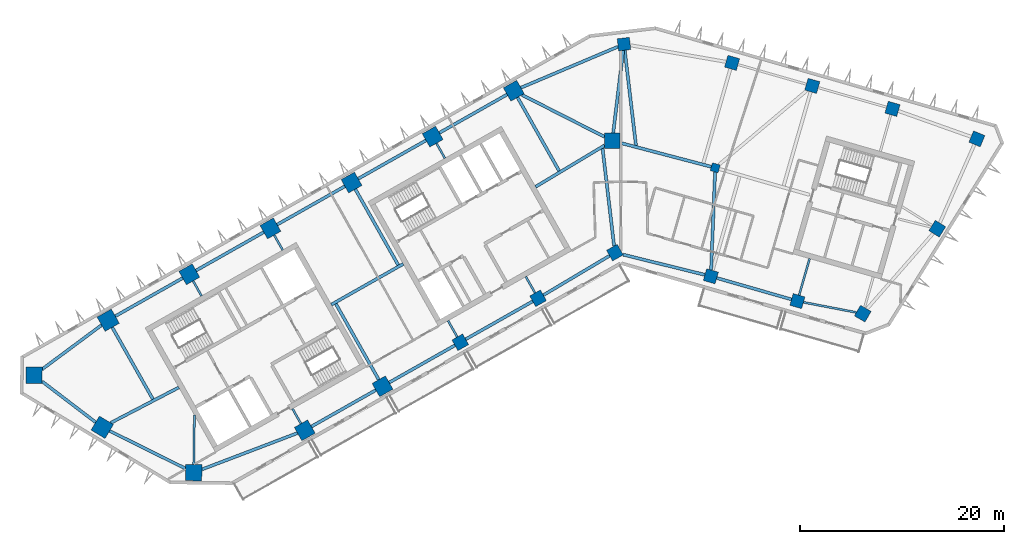
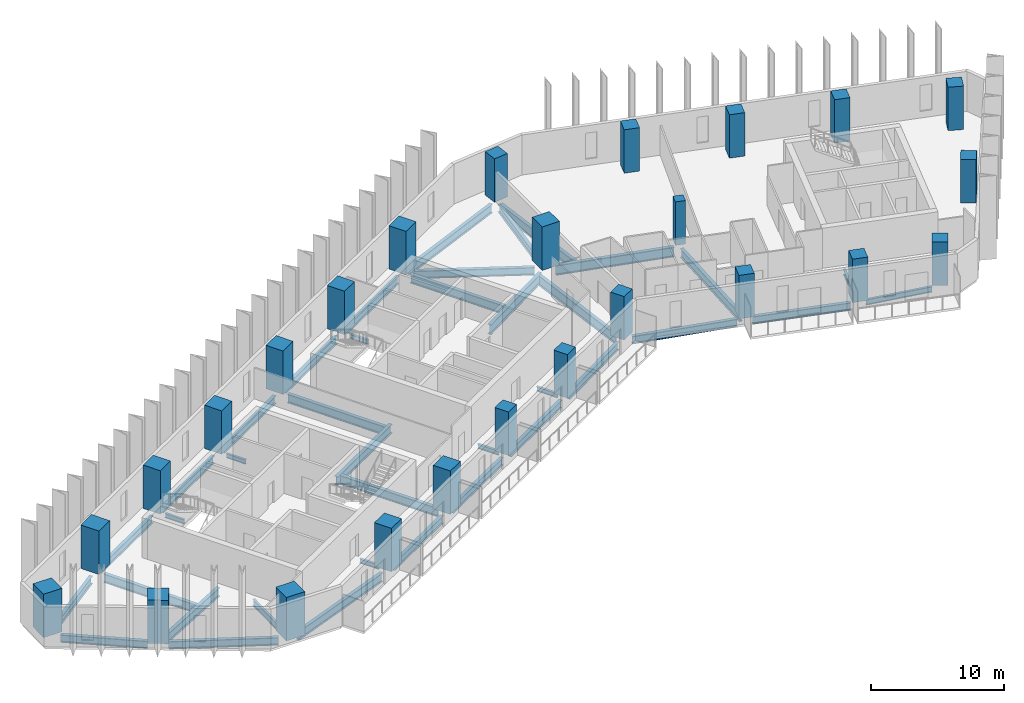
# One storey, part 1 of 10: 38 beams, 25 columns.
"""IFC4 building model written with IfcOpenShell, lengths in metres."""

from ifc_helpers import new_model, si_unit, direction, frame, origin, origin_2d, place, context, subcontext, project, spatial, rectangle, i_section, extrude, material, material_profile, profile_set, type_object, element, save


model = new_model("IFC4")

# Units and contexts
model_context = context("Model", 3, precision=1e-05, world=origin(), true_north=direction((0.0, 1.0)))
body_context = subcontext(model_context, "Body", "Model", "MODEL_VIEW")
ifc_project = project(units=[si_unit("LENGTHUNIT", "METRE"), si_unit("AREAUNIT", "SQUARE_METRE"), si_unit("VOLUMEUNIT", "CUBIC_METRE"), si_unit("PLANEANGLEUNIT", "RADIAN"), si_unit("MASSUNIT", "GRAM", prefix="KILO")], contexts=[model_context])

# Site, building, storey
site_placement = place(None, origin())
site = spatial("IfcSite", under=ifc_project, at=site_placement, CompositionType="ELEMENT")
building_placement = place(site_placement, origin())
building = spatial("IfcBuilding", under=site, at=building_placement, Name="Binnacle Exchange Tower", CompositionType="ELEMENT")
storey_placement = place(building_placement, frame((0.0, 0.0, 178.89990234375)))
storey = spatial("IfcBuildingStorey", under=building, at=storey_placement, Name="L38", CompositionType="ELEMENT", Elevation=178.89990234375)

# Columns
ifc_material_1 = material(Name="Concrete C60/75", Category="concrete")
ifc_material_profile_1 = material_profile(ifc_material_1, rectangle(XDim=0.800048828125, YDim=0.800048828125, at=origin_2d()), Name="Column 800x800 C60/75")
ifc_profile_set_1 = profile_set([ifc_material_profile_1], Name="Concrete C60/75")
column_type_1 = type_object("IfcColumnType", Name="Column 800x800 C60/75", PredefinedType="COLUMN", material=ifc_profile_set_1)
column_placement = place(storey_placement, frame((9.240966796875, 57.35009765625, 0.0), z_axis=(0.0, 0.0, 1.0), x_axis=(0.961261695938, -0.275637355817, 0.0)))
element("IfcColumn", 1, at=column_placement, inside=storey, type_object=column_type_1, Name="S:COL:C19:L38", PredefinedType="COLUMN", context=body_context, shape_type="SweptSolid", body=[
    extrude(rectangle(XDim=0.800048828125, YDim=0.800048828125, at=origin_2d()), origin(), (0.0, 0.0, 1.0), 4.0),
])
ifc_material_2 = material(Name="Concrete C70/85", Category="concrete")
ifc_material_profile_2 = material_profile(ifc_material_2, rectangle(XDim=1.199951171875, YDim=1.199951171875, at=origin_2d()), Name="Mega column 1200x1200 C70/85")
ifc_profile_set_2 = profile_set([ifc_material_profile_2], Name="Concrete C70/85")
column_type_2 = type_object("IfcColumnType", Name="Mega column 1200x1200 C70/85", PredefinedType="COLUMN", material=ifc_profile_set_2)
for number, where, z_axis, x_axis, name in (
    (2, (26.602783203125, 63.12353515625, 0.0), (0.0, 0.0, 1.0), (-0.961261695938, 0.275637355817, 0.0), "S:COL:MC52:L38"),
    (3, (18.746337890625, 65.376220703125, 0.0), (0.0, 0.0, 1.0), (-0.961261695938, 0.275637355817, 0.0), "S:COL:MC50:L38"),
    (4, (10.889892578125, 67.62890625, 0.0), (0.0, 0.0, 1.0), (-0.961261695938, 0.275637355817, 0.0), "S:COL:MC48:L38"),
    (5, (0.300048828125, 69.464111328125, 0.0), (0.0, 0.0, 1.0), (-0.993068456955, -0.117537397458, 0.0), "S:COL:MC47:L38"),
    (6, (-15.736328125, 40.257080078125, 0.0), (0.0, 0.0, 1.0), (0.87035569594, 0.492423560103, 0.0), "S:COL:MC24:L38"),
    (7, (-8.116943359375, 44.568115234375, 0.0), (0.0, 0.0, 1.0), (0.87035569594, 0.492423560103, 0.0), "S:COL:MC35:L38"),
    (8, (-0.5908203125, 49.04443359375, 0.0), (0.0, 0.0, 1.0), (0.87035569594, 0.492423560103, 0.0), "S:COL:MC46:L38"),
    (9, (8.8095703125, 46.722412109375, 0.0), (0.0, 0.0, 1.0), (0.961261695938, -0.275637355817, 0.0), "S:COL:MC49:L38"),
    (10, (17.2880859375, 44.291015625, 0.0), (0.0, 0.0, 1.0), (0.961261695938, -0.275637355817, 0.0), "S:COL:MC51:L38"),
    (11, (23.690185546875, 43.062744140625, 0.0), (0.0, 0.0, 1.0), (-0.86532642813, 0.501208711795, 0.0), "S:COL:MC53:L38"),
    (12, (30.989501953125, 51.38623046875, 0.0), (0.0, 0.0, 1.0), (0.529919264233, 0.848048096156, 0.0), "S:COL:MC55:L38"),
    (13, (34.870361328125, 60.18701171875, 0.0), (0.0, 0.0, 1.0), (-0.922814001807, 0.385245789164, 0.0), "S:COL:MC54:L38"),
):
    element("IfcColumn", number, at=place(storey_placement, frame(where, z_axis=z_axis, x_axis=x_axis)), inside=storey, type_object=column_type_2, Name=name, PredefinedType="COLUMN", context=body_context, shape_type="SweptSolid", body=[
        extrude(rectangle(XDim=1.199951171875, YDim=1.199951171875, at=origin_2d()), origin(), (0.0, 0.0, 1.0), 4.0),
    ])
ifc_material_profile_3 = material_profile(ifc_material_2, rectangle(XDim=1.5, YDim=1.5, at=origin_2d()), Name="Mega column 1500x1500 C70/85")
ifc_profile_set_3 = profile_set([ifc_material_profile_3], Name="Concrete C70/85")
column_type_3 = type_object("IfcColumnType", Name="Mega column 1500x1500 C70/85", PredefinedType="COLUMN", material=ifc_profile_set_3)
for number, where, z_axis, x_axis, name in (
    (14, (-10.4951171875, 64.901611328125, 0.0), (0.0, 0.0, 1.0), (-0.87035569594, -0.492423560103, 0.0), "S:COL:MC38:L38"),
    (15, (-18.44140625, 60.406005859375, 0.0), (0.0, 0.0, 1.0), (-0.87035569594, -0.492423560103, 0.0), "S:COL:MC29:L38"),
    (16, (-26.3876953125, 55.91015625, 0.0), (0.0, 0.0, 1.0), (-0.87035569594, -0.492423560103, 0.0), "S:COL:MC21:L38"),
    (17, (-34.333740234375, 51.414306640625, 0.0), (0.0, 0.0, 1.0), (-0.87035569594, -0.492423560103, 0.0), "S:COL:MC13:L38"),
    (18, (-42.280029296875, 46.918701171875, 0.0), (0.0, 0.0, 1.0), (-0.87035569594, -0.492423560103, 0.0), "S:COL:MC08:L38"),
    (19, (-30.9755859375, 31.63525390625, 0.0), (0.0, 0.0, 1.0), (0.87035569594, 0.492423560103, 0.0), "S:COL:MC07:L38"),
    (20, (-23.35595703125, 35.9462890625, 0.0), (0.0, 0.0, 1.0), (0.87035569594, 0.492423560103, 0.0), "S:COL:MC16:L38"),
    (21, (-0.85009765625, 60.0, 0.0), (0.0, 0.0, 1.0), (0.0, 1.0, 0.0), "S:COL:MC45:L38"),
):
    element("IfcColumn", number, at=place(storey_placement, frame(where, z_axis=z_axis, x_axis=x_axis)), inside=storey, type_object=column_type_3, Name=name, PredefinedType="COLUMN", context=body_context, shape_type="SweptSolid", body=[
        extrude(rectangle(XDim=1.5, YDim=1.5, at=origin_2d()), origin(), (0.0, 0.0, 1.0), 4.0),
    ])
ifc_material_profile_4 = material_profile(ifc_material_2, rectangle(XDim=1.60009765625, YDim=1.60009765625, at=origin_2d()), Name="Mega column 1600x1600 C70/85")
ifc_profile_set_4 = profile_set([ifc_material_profile_4], Name="Concrete C70/85")
column_type_4 = type_object("IfcColumnType", Name="Mega column 1600x1600 C70/85", PredefinedType="COLUMN", material=ifc_profile_set_4)
for number, where, z_axis, x_axis, name in (
    (22, (-50.226318359375, 42.4228515625, 0.0), (0.0, 0.0, 1.0), (-0.87035569594, -0.492423560103, 0.0), "S:COL:MC04:L38"),
    (23, (-57.492919921875, 37.02734375, 0.0), (0.0, 0.0, 1.0), (-0.013089595571, -0.999914327574, 0.0), "S:COL:MC02:L38"),
    (24, (-50.81201171875, 31.930908203125, 0.0), (0.0, 0.0, 1.0), (0.857167300702, -0.51503807491, 0.0), "S:COL:MC01:L38"),
    (25, (-41.857666015625, 27.494873046875, 0.0), (0.0, 0.0, 1.0), (0.999914327574, -0.013089595571, 0.0), "S:COL:MC03:L38"),
):
    element("IfcColumn", number, at=place(storey_placement, frame(where, z_axis=z_axis, x_axis=x_axis)), inside=storey, type_object=column_type_4, Name=name, PredefinedType="COLUMN", context=body_context, shape_type="SweptSolid", body=[
        extrude(rectangle(XDim=1.60009765625, YDim=1.60009765625, at=origin_2d()), origin(), (0.0, 0.0, 1.0), 4.0),
    ])

# Beams
ifc_material_3 = material(Name="Steel S355 (SHN355)", Category="steel")
ifc_material_profile_5 = material_profile(ifc_material_3, i_section(OverallWidth=0.200927734375, OverallDepth=0.506103515625, WebThickness=0.010986328125, FlangeThickness=0.01904296875, FilletRadius=0.02001953125, at=origin_2d()), Name="H 506x201x11x19")
ifc_profile_set_5 = profile_set([ifc_material_profile_5], Name="Steel S355 (SHN355)")
beam_type_1 = type_object("IfcBeamType", Name="Edge girder H 506x201x11x19 Steel S355 (SHN355)", PredefinedType="SPANDREL", material=ifc_profile_set_5)
beam_1_placement = place(storey_placement, frame((17.8798828125, 44.177490234375, -0.572998046875), z_axis=(0.982085171807, -0.188437563446, 0.0), x_axis=(0.188437563446, 0.982085171807, 0.0)))
element("IfcBeam", 26, at=beam_1_placement, inside=storey, type_object=beam_type_1, Name="S:BM:edge:L38:028", PredefinedType="SPANDREL", context=body_context, shape_type="SweptSolid", body=[
    extrude(i_section(OverallWidth=0.200927734375, OverallDepth=0.506103515625, WebThickness=0.010986328125, FlangeThickness=0.01904296875, FilletRadius=0.02001953125, at=origin_2d()), origin(), (0.0, 0.0, 1.0), 5.281005859375),
])
ifc_material_profile_6 = material_profile(ifc_material_3, i_section(OverallWidth=0.300048828125, OverallDepth=0.699951171875, WebThickness=0.012939453125, FlangeThickness=0.02392578125, FilletRadius=0.028076171875, at=origin_2d()), Name="H 700x300x13x24")
ifc_profile_set_6 = profile_set([ifc_material_profile_6], Name="Steel S355 (SHN355)")
beam_type_2 = type_object("IfcBeamType", Name="Edge girder H 700x300x13x24 Steel S355 (SHN355)", PredefinedType="SPANDREL", material=ifc_profile_set_6)
beam_2_placement = place(storey_placement, frame((-56.70068359375, 36.423095703125, -0.669921875), z_axis=(0.795078424379, -0.606506635649, 0.0), x_axis=(0.606506635649, 0.795078424379, 0.0)))
element("IfcBeam", 27, at=beam_2_placement, inside=storey, type_object=beam_type_2, Name="S:BM:edge:L38:011", PredefinedType="SPANDREL", context=body_context, shape_type="SweptSolid", body=[
    extrude(i_section(OverallWidth=0.300048828125, OverallDepth=0.699951171875, WebThickness=0.012939453125, FlangeThickness=0.02392578125, FilletRadius=0.028076171875, at=origin_2d()), origin(), (0.0, 0.0, 1.0), 6.6015625),
])
beam_3_placement = place(storey_placement, frame((-50.87353515625, 41.9423828125, -0.669921875), z_axis=(-0.802872533272, -0.596150732044, 0.0), x_axis=(0.596150732044, -0.802872533272, 0.0)))
element("IfcBeam", 28, at=beam_3_placement, inside=storey, type_object=beam_type_2, Name="S:BM:edge:L38:012", PredefinedType="SPANDREL", context=body_context, shape_type="SweptSolid", body=[
    extrude(i_section(OverallWidth=0.300048828125, OverallDepth=0.699951171875, WebThickness=0.012939453125, FlangeThickness=0.02392578125, FilletRadius=0.028076171875, at=origin_2d()), origin(), (0.0, 0.0, 1.0), 7.238525390625),
])
beam_4_placement = place(storey_placement, frame((-50.0927734375, 31.57470703125, -0.669921875), z_axis=(0.896061869104, -0.443929191131, 0.0), x_axis=(0.443929191131, 0.896061869104, 0.0)))
element("IfcBeam", 29, at=beam_4_placement, inside=storey, type_object=beam_type_2, Name="S:BM:edge:L38:013", PredefinedType="SPANDREL", context=body_context, shape_type="SweptSolid", body=[
    extrude(i_section(OverallWidth=0.300048828125, OverallDepth=0.699951171875, WebThickness=0.012939453125, FlangeThickness=0.02392578125, FilletRadius=0.028076171875, at=origin_2d()), origin(), (0.0, 0.0, 1.0), 8.30322265625),
])
beam_5_placement = place(storey_placement, frame((-42.932861328125, 46.54931640625, -0.669921875), z_axis=(-0.870352192811, -0.492429751811, 0.0), x_axis=(0.492429751811, -0.870352192811, 0.0)))
element("IfcBeam", 30, at=beam_5_placement, inside=storey, type_object=beam_type_2, Name="S:BM:edge:L38:014", PredefinedType="SPANDREL", context=body_context, shape_type="SweptSolid", body=[
    extrude(i_section(OverallWidth=0.300048828125, OverallDepth=0.699951171875, WebThickness=0.012939453125, FlangeThickness=0.02392578125, FilletRadius=0.028076171875, at=origin_2d()), origin(), (0.0, 0.0, 1.0), 7.57958984375),
])
beam_6_placement = place(storey_placement, frame((-34.986572265625, 51.045166015625, -0.669921875), z_axis=(-0.870355964277, -0.492423085818, 0.0), x_axis=(0.492423085818, -0.870355964277, 0.0)))
element("IfcBeam", 31, at=beam_6_placement, inside=storey, type_object=beam_type_2, Name="S:BM:edge:L38:016", PredefinedType="SPANDREL", context=body_context, shape_type="SweptSolid", body=[
    extrude(i_section(OverallWidth=0.300048828125, OverallDepth=0.699951171875, WebThickness=0.012939453125, FlangeThickness=0.02392578125, FilletRadius=0.028076171875, at=origin_2d()), origin(), (0.0, 0.0, 1.0), 7.6298828125),
])
beam_7_placement = place(storey_placement, frame((-30.32275390625, 32.004638671875, -0.669921875), z_axis=(0.870355920795, 0.492423162674, 0.0), x_axis=(-0.492423162674, 0.870355920795, 0.0)))
element("IfcBeam", 32, at=beam_7_placement, inside=storey, type_object=beam_type_2, Name="S:BM:edge:L38:017", PredefinedType="SPANDREL", context=body_context, shape_type="SweptSolid", body=[
    extrude(i_section(OverallWidth=0.300048828125, OverallDepth=0.699951171875, WebThickness=0.012939453125, FlangeThickness=0.02392578125, FilletRadius=0.028076171875, at=origin_2d()), origin(), (0.0, 0.0, 1.0), 7.25439453125),
])
beam_8_placement = place(storey_placement, frame((-27.040283203125, 55.541015625, -0.669921875), z_axis=(-0.870342250182, -0.492447324643, 0.0), x_axis=(0.492447324643, -0.870342250182, 0.0)))
element("IfcBeam", 33, at=beam_8_placement, inside=storey, type_object=beam_type_2, Name="S:BM:edge:L38:018", PredefinedType="SPANDREL", context=body_context, shape_type="SweptSolid", body=[
    extrude(i_section(OverallWidth=0.300048828125, OverallDepth=0.699951171875, WebThickness=0.012939453125, FlangeThickness=0.02392578125, FilletRadius=0.028076171875, at=origin_2d()), origin(), (0.0, 0.0, 1.0), 7.6298828125),
])
beam_9_placement = place(storey_placement, frame((-22.703125, 36.3154296875, -0.669921875), z_axis=(0.87035151347, 0.49243095252, 0.0), x_axis=(-0.49243095252, 0.87035151347, 0.0)))
element("IfcBeam", 34, at=beam_9_placement, inside=storey, type_object=beam_type_2, Name="S:BM:edge:L38:019", PredefinedType="SPANDREL", context=body_context, shape_type="SweptSolid", body=[
    extrude(i_section(OverallWidth=0.300048828125, OverallDepth=0.699951171875, WebThickness=0.012939453125, FlangeThickness=0.02392578125, FilletRadius=0.028076171875, at=origin_2d()), origin(), (0.0, 0.0, 1.0), 7.404541015625),
])
beam_10_placement = place(storey_placement, frame((-19.093994140625, 60.03662109375, -0.669921875), z_axis=(-0.870363722936, -0.492409372165, 0.0), x_axis=(0.492409372165, -0.870363722936, 0.0)))
element("IfcBeam", 35, at=beam_10_placement, inside=storey, type_object=beam_type_2, Name="S:BM:edge:L38:020", PredefinedType="SPANDREL", context=body_context, shape_type="SweptSolid", body=[
    extrude(i_section(OverallWidth=0.300048828125, OverallDepth=0.699951171875, WebThickness=0.012939453125, FlangeThickness=0.02392578125, FilletRadius=0.028076171875, at=origin_2d()), origin(), (0.0, 0.0, 1.0), 7.6298828125),
])
beam_11_placement = place(storey_placement, frame((-15.214111328125, 40.552734375, -0.669921875), z_axis=(0.870353295418, 0.492427802988, 0.0), x_axis=(-0.492427802988, 0.870353295418, 0.0)))
element("IfcBeam", 36, at=beam_11_placement, inside=storey, type_object=beam_type_2, Name="S:BM:edge:L38:021", PredefinedType="SPANDREL", context=body_context, shape_type="SweptSolid", body=[
    extrude(i_section(OverallWidth=0.300048828125, OverallDepth=0.699951171875, WebThickness=0.012939453125, FlangeThickness=0.02392578125, FilletRadius=0.028076171875, at=origin_2d()), origin(), (0.0, 0.0, 1.0), 7.554443359375),
])
beam_12_placement = place(storey_placement, frame((-11.14794921875, 64.532470703125, -0.669921875), z_axis=(-0.870355964277, -0.492423085818, 0.0), x_axis=(0.492423085818, -0.870355964277, 0.0)))
element("IfcBeam", 37, at=beam_12_placement, inside=storey, type_object=beam_type_2, Name="S:BM:edge:L38:022", PredefinedType="SPANDREL", context=body_context, shape_type="SweptSolid", body=[
    extrude(i_section(OverallWidth=0.300048828125, OverallDepth=0.699951171875, WebThickness=0.012939453125, FlangeThickness=0.02392578125, FilletRadius=0.028076171875, at=origin_2d()), origin(), (0.0, 0.0, 1.0), 7.6298828125),
])
beam_13_placement = place(storey_placement, frame((-7.60107421875, 44.875, -0.669921875), z_axis=(0.85946222832, 0.511199254783, 0.0), x_axis=(-0.511199254783, 0.85946222832, 0.0)))
element("IfcBeam", 38, at=beam_13_placement, inside=storey, type_object=beam_type_2, Name="S:BM:edge:L38:023", PredefinedType="SPANDREL", context=body_context, shape_type="SweptSolid", body=[
    extrude(i_section(OverallWidth=0.300048828125, OverallDepth=0.699951171875, WebThickness=0.012939453125, FlangeThickness=0.02392578125, FilletRadius=0.028076171875, at=origin_2d()), origin(), (0.0, 0.0, 1.0), 7.556396484375),
])
beam_14_placement = place(storey_placement, frame((0.21044921875, 48.846435546875, -0.669921875), z_axis=(0.970817017645, -0.239821429924, 0.0), x_axis=(0.239821429924, 0.970817017645, 0.0)))
element("IfcBeam", 39, at=beam_14_placement, inside=storey, type_object=beam_type_2, Name="S:BM:edge:L38:025", PredefinedType="SPANDREL", context=body_context, shape_type="SweptSolid", body=[
    extrude(i_section(OverallWidth=0.300048828125, OverallDepth=0.699951171875, WebThickness=0.012939453125, FlangeThickness=0.02392578125, FilletRadius=0.028076171875, at=origin_2d()), origin(), (0.0, 0.0, 1.0), 8.257080078125),
])
beam_15_placement = place(storey_placement, frame((9.38623046875, 46.556884765625, -0.669921875), z_axis=(0.961266012815, -0.275622300635, 0.0), x_axis=(0.275622300635, 0.961266012815, 0.0)))
element("IfcBeam", 40, at=beam_15_placement, inside=storey, type_object=beam_type_2, Name="S:BM:edge:L38:026", PredefinedType="SPANDREL", context=body_context, shape_type="SweptSolid", body=[
    extrude(i_section(OverallWidth=0.300048828125, OverallDepth=0.699951171875, WebThickness=0.012939453125, FlangeThickness=0.02392578125, FilletRadius=0.028076171875, at=origin_2d()), origin(), (0.0, 0.0, 1.0), 7.620361328125),
])
ifc_material_profile_7 = material_profile(ifc_material_3, i_section(OverallWidth=0.300048828125, OverallDepth=0.800048828125, WebThickness=0.013916015625, FlangeThickness=0.02587890625, FilletRadius=0.028076171875, at=origin_2d()), Name="H 800x300x14x26")
ifc_profile_set_7 = profile_set([ifc_material_profile_7], Name="Steel S355 (SHN355)")
beam_type_3 = type_object("IfcBeamType", Name="Edge girder H 800x300x14x26 Steel S355 (SHN355)", PredefinedType="SPANDREL", material=ifc_profile_set_7)
beam_16_placement = place(storey_placement, frame((-41.0537109375, 27.80078125, -0.719970703125), z_axis=(0.934633884233, 0.355611448695, 0.0), x_axis=(-0.355611448695, 0.934633884233, 0.0)))
element("IfcBeam", 41, at=beam_16_placement, inside=storey, type_object=beam_type_3, Name="S:BM:edge:L38:015", PredefinedType="SPANDREL", context=body_context, shape_type="SweptSolid", body=[
    extrude(i_section(OverallWidth=0.300048828125, OverallDepth=0.800048828125, WebThickness=0.013916015625, FlangeThickness=0.02587890625, FilletRadius=0.028076171875, at=origin_2d()), origin(), (0.0, 0.0, 1.0), 10.024169921875),
])
beam_17_placement = place(storey_placement, frame((-0.275390625, 69.220947265625, -0.719970703125), z_axis=(-0.921111875234, -0.389297974953, 0.0), x_axis=(0.389297974953, -0.921111875234, 0.0)))
element("IfcBeam", 42, at=beam_17_placement, inside=storey, type_object=beam_type_3, Name="S:BM:edge:L38:024", PredefinedType="SPANDREL", context=body_context, shape_type="SweptSolid", body=[
    extrude(i_section(OverallWidth=0.300048828125, OverallDepth=0.800048828125, WebThickness=0.013916015625, FlangeThickness=0.02587890625, FilletRadius=0.028076171875, at=origin_2d()), origin(), (0.0, 0.0, 1.0), 10.340087890625),
])
ifc_material_profile_8 = material_profile(ifc_material_3, i_section(OverallWidth=0.199951171875, OverallDepth=0.39990234375, WebThickness=0.008056640625, FlangeThickness=0.012939453125, FilletRadius=0.01611328125, at=origin_2d()), Name="H 400x200x8x13")
ifc_profile_set_8 = profile_set([ifc_material_profile_8], Name="Steel S355 (SHN355)")
beam_type_4 = type_object("IfcBeamType", Name="Floor beam H 400x200x8x13 Steel S355 (SHN355)", PredefinedType="BEAM", material=ifc_profile_set_8)
beam_18_placement = place(storey_placement, frame((-41.91064453125, 46.265869140625, -0.52001953125), z_axis=(0.49243456751, -0.870349468157, 0.0), x_axis=(0.870349468157, 0.49243456751, 0.0)))
element("IfcBeam", 43, at=beam_18_placement, inside=storey, type_object=beam_type_4, Name="S:BM:cross:L38:035", PredefinedType="BEAM", context=body_context, shape_type="SweptSolid", body=[
    extrude(i_section(OverallWidth=0.199951171875, OverallDepth=0.39990234375, WebThickness=0.008056640625, FlangeThickness=0.012939453125, FilletRadius=0.01611328125, at=origin_2d()), origin(), (0.0, 0.0, 1.0), 1.68408203125),
])
beam_19_placement = place(storey_placement, frame((-33.964599609375, 50.76171875, -0.52001953125), z_axis=(0.492482237839, -0.870322495063, 0.0), x_axis=(0.870322495063, 0.492482237839, 0.0)))
element("IfcBeam", 44, at=beam_19_placement, inside=storey, type_object=beam_type_4, Name="S:BM:cross:L38:037", PredefinedType="BEAM", context=body_context, shape_type="SweptSolid", body=[
    extrude(i_section(OverallWidth=0.199951171875, OverallDepth=0.39990234375, WebThickness=0.008056640625, FlangeThickness=0.012939453125, FilletRadius=0.01611328125, at=origin_2d()), origin(), (0.0, 0.0, 1.0), 1.6845703125),
])
for number, where, z_axis, x_axis, name in (
    (45, (-31.344970703125, 32.2880859375, -0.52001953125), (-0.49243456751, 0.870349468157, 0.0), (-0.870349468157, -0.49243456751, 0.0), "S:BM:cross:L38:038"),
    (46, (-18.072021484375, 59.753173828125, -0.52001953125), (0.49243456751, -0.870349468157, 0.0), (0.870349468157, 0.49243456751, 0.0), "S:BM:cross:L38:041"),
):
    element("IfcBeam", number, at=place(storey_placement, frame(where, z_axis=z_axis, x_axis=x_axis)), inside=storey, type_object=beam_type_4, Name=name, PredefinedType="BEAM", context=body_context, shape_type="SweptSolid", body=[
        extrude(i_section(OverallWidth=0.199951171875, OverallDepth=0.39990234375, WebThickness=0.008056640625, FlangeThickness=0.012939453125, FilletRadius=0.01611328125, at=origin_2d()), origin(), (0.0, 0.0, 1.0), 1.68408203125),
    ])
beam_20_placement = place(storey_placement, frame((-16.031982421875, 40.779296875, -0.52001953125), z_axis=(-0.492307212856, 0.870421511781, 0.0), x_axis=(-0.870421511781, -0.492307212856, 0.0)))
element("IfcBeam", 47, at=beam_20_placement, inside=storey, type_object=beam_type_4, Name="S:BM:cross:L38:042", PredefinedType="BEAM", context=body_context, shape_type="SweptSolid", body=[
    extrude(i_section(OverallWidth=0.199951171875, OverallDepth=0.39990234375, WebThickness=0.008056640625, FlangeThickness=0.012939453125, FilletRadius=0.01611328125, at=origin_2d()), origin(), (0.0, 0.0, 1.0), 1.83447265625),
])
beam_21_placement = place(storey_placement, frame((-8.412353515625, 45.09033203125, -0.52001953125), z_axis=(-0.492465079532, 0.87033220407, 0.0), x_axis=(-0.87033220407, -0.492465079532, 0.0)))
element("IfcBeam", 48, at=beam_21_placement, inside=storey, type_object=beam_type_4, Name="S:BM:cross:L38:044", PredefinedType="BEAM", context=body_context, shape_type="SweptSolid", body=[
    extrude(i_section(OverallWidth=0.199951171875, OverallDepth=0.39990234375, WebThickness=0.008056640625, FlangeThickness=0.012939453125, FilletRadius=0.01611328125, at=origin_2d()), origin(), (0.0, 0.0, 1.0), 1.834228515625),
])
ifc_material_profile_9 = material_profile(ifc_material_3, i_section(OverallWidth=0.199951171875, OverallDepth=0.5, WebThickness=0.010009765625, FlangeThickness=0.01611328125, FilletRadius=0.02001953125, at=origin_2d()), Name="H 500x200x10x16")
ifc_profile_set_9 = profile_set([ifc_material_profile_9], Name="Steel S355 (SHN355)")
beam_type_5 = type_object("IfcBeamType", Name="Floor beam H 500x200x10x16 Steel S355 (SHN355)", PredefinedType="BEAM", material=ifc_profile_set_9)
beam_22_placement = place(storey_placement, frame((17.45361328125, 44.867919921875, -0.56982421875), z_axis=(0.275644746045, 0.961259576794, 0.0), x_axis=(-0.961259576794, 0.275644746045, 0.0)))
element("IfcBeam", 49, at=beam_22_placement, inside=storey, type_object=beam_type_5, Name="S:BM:cross:L38:049", PredefinedType="BEAM", context=body_context, shape_type="SweptSolid", body=[
    extrude(i_section(OverallWidth=0.199951171875, OverallDepth=0.5, WebThickness=0.010009765625, FlangeThickness=0.01611328125, FilletRadius=0.02001953125, at=origin_2d()), origin(), (0.0, 0.0, 1.0), 3.735107421875),
])
ifc_material_profile_10 = material_profile(ifc_material_3, i_section(OverallWidth=0.200927734375, OverallDepth=0.60595703125, WebThickness=0.011962890625, FlangeThickness=0.02001953125, FilletRadius=0.02197265625, at=origin_2d()), Name="H 606x201x12x20")
ifc_profile_set_10 = profile_set([ifc_material_profile_10], Name="Steel S355 (SHN355)")
beam_type_6 = type_object("IfcBeamType", Name="Floor beam H 606x201x12x20 Steel S355 (SHN355)", PredefinedType="BEAM", material=ifc_profile_set_10)
beam_23_placement = place(storey_placement, frame((-41.84716796875, 28.294677734375, -0.622802734375), z_axis=(0.013085908175, 0.999914375838, 0.0), x_axis=(-0.999914375838, 0.013085908175, 0.0)))
element("IfcBeam", 50, at=beam_23_placement, inside=storey, type_object=beam_type_6, Name="S:BM:cross:L38:036", PredefinedType="BEAM", context=body_context, shape_type="SweptSolid", body=[
    extrude(i_section(OverallWidth=0.200927734375, OverallDepth=0.60595703125, WebThickness=0.011962890625, FlangeThickness=0.02001953125, FilletRadius=0.02197265625, at=origin_2d()), origin(), (0.0, 0.0, 1.0), 4.850830078125),
])
ifc_material_profile_11 = material_profile(ifc_material_3, i_section(OverallWidth=0.302001953125, OverallDepth=0.80810546875, WebThickness=0.01611328125, FlangeThickness=0.030029296875, FilletRadius=0.028076171875, at=origin_2d()), Name="H 808x302x16x30")
ifc_profile_set_11 = profile_set([ifc_material_profile_11], Name="Steel S355 (SHN355)")
beam_type_7 = type_object("IfcBeamType", Name="Floor beam H 808x302x16x30 Steel S355 (SHN355)", PredefinedType="BEAM", material=ifc_profile_set_11)
beam_24_placement = place(storey_placement, frame((-49.832275390625, 41.7265625, -0.723876953125), z_axis=(0.492430056331, -0.870352020519, 0.0), x_axis=(0.870352020519, 0.492430056331, 0.0)))
element("IfcBeam", 51, at=beam_24_placement, inside=storey, type_object=beam_type_7, Name="S:BM:cross:L38:034", PredefinedType="BEAM", context=body_context, shape_type="SweptSolid", body=[
    extrude(i_section(OverallWidth=0.302001953125, OverallDepth=0.80810546875, WebThickness=0.01611328125, FlangeThickness=0.030029296875, FilletRadius=0.028076171875, at=origin_2d()), origin(), (0.0, 0.0, 1.0), 8.09130859375),
])
for number, where, z_axis, x_axis, name in (
    (52, (-26.018310546875, 55.25732421875, -0.723876953125), (0.4924220214, -0.870356566495, 0.0), (0.870356566495, 0.4924220214, 0.0), "S:BM:cross:L38:039"),
    (53, (-23.725341796875, 36.59912109375, -0.723876953125), (-0.4924220214, 0.870356566495, 0.0), (-0.870356566495, -0.4924220214, 0.0), "S:BM:cross:L38:040"),
):
    element("IfcBeam", number, at=place(storey_placement, frame(where, z_axis=z_axis, x_axis=x_axis)), inside=storey, type_object=beam_type_7, Name=name, PredefinedType="BEAM", context=body_context, shape_type="SweptSolid", body=[
        extrude(i_section(OverallWidth=0.302001953125, OverallDepth=0.80810546875, WebThickness=0.01611328125, FlangeThickness=0.030029296875, FilletRadius=0.028076171875, at=origin_2d()), origin(), (0.0, 0.0, 1.0), 8.5341796875),
    ])
beam_25_placement = place(storey_placement, frame((-10.125732421875, 64.248779296875, -0.723876953125), z_axis=(0.492423973828, -0.870355461866, 0.0), x_axis=(0.870355461866, 0.492423973828, 0.0)))
element("IfcBeam", 54, at=beam_25_placement, inside=storey, type_object=beam_type_7, Name="S:BM:cross:L38:043", PredefinedType="BEAM", context=body_context, shape_type="SweptSolid", body=[
    extrude(i_section(OverallWidth=0.302001953125, OverallDepth=0.80810546875, WebThickness=0.01611328125, FlangeThickness=0.030029296875, FilletRadius=0.028076171875, at=origin_2d()), origin(), (0.0, 0.0, 1.0), 8.269287109375),
])
ifc_material_profile_12 = material_profile(ifc_material_3, i_section(OverallWidth=0.302001953125, OverallDepth=0.912109375, WebThickness=0.01806640625, FlangeThickness=0.033935546875, FilletRadius=0.028076171875, at=origin_2d()), Name="H 912x302x18x34")
ifc_profile_set_12 = profile_set([ifc_material_profile_12], Name="Steel S355 (SHN355)")
beam_type_8 = type_object("IfcBeamType", Name="Floor beam H 912x302x18x34 Steel S355 (SHN355)", PredefinedType="BEAM", material=ifc_profile_set_12)
beam_26_placement = place(storey_placement, frame((-0.66748046875, 49.690673828125, -0.77587890625), z_axis=(-0.117518220547, 0.993070726504, 0.0), x_axis=(-0.993070726504, -0.117518220547, 0.0)))
element("IfcBeam", 55, at=beam_26_placement, inside=storey, type_object=beam_type_8, Name="S:BM:cross:L38:045", PredefinedType="BEAM", context=body_context, shape_type="SweptSolid", body=[
    extrude(i_section(OverallWidth=0.302001953125, OverallDepth=0.912109375, WebThickness=0.01806640625, FlangeThickness=0.033935546875, FilletRadius=0.028076171875, at=origin_2d()), origin(), (0.0, 0.0, 1.0), 9.645751953125),
])
beam_27_placement = place(storey_placement, frame((0.37060546875, 68.868408203125, -0.77587890625), z_axis=(0.117552497625, -0.993066669616, 0.0), x_axis=(0.993066669616, 0.117552497625, 0.0)))
element("IfcBeam", 56, at=beam_27_placement, inside=storey, type_object=beam_type_8, Name="S:BM:cross:L38:046", PredefinedType="BEAM", context=body_context, shape_type="SweptSolid", body=[
    extrude(i_section(OverallWidth=0.302001953125, OverallDepth=0.912109375, WebThickness=0.01806640625, FlangeThickness=0.033935546875, FilletRadius=0.028076171875, at=origin_2d()), origin(), (0.0, 0.0, 1.0), 9.39990234375),
])
ifc_material_profile_13 = material_profile(ifc_material_3, i_section(OverallWidth=0.300048828125, OverallDepth=0.699951171875, WebThickness=0.012939453125, FlangeThickness=0.02392578125, FilletRadius=0.028076171875, at=origin_2d()), Name="H 700x300x13x24")
ifc_profile_set_13 = profile_set([ifc_material_profile_13], Name="Steel S355 (SHN355)")
beam_type_9 = type_object("IfcBeamType", Name="Spine girder H 700x300x13x24 Steel S355 (SHN355)", PredefinedType="BEAM", material=ifc_profile_set_13)
beam_28_placement = place(storey_placement, frame((-0.7587890625, 60.75, -0.669921875), z_axis=(0.120620829002, 0.992698652971, 0.0), x_axis=(-0.992698652971, 0.120620829002, 0.0)))
element("IfcBeam", 57, at=beam_28_placement, inside=storey, type_object=beam_type_9, Name="S:BM:spine:L38:005", PredefinedType="BEAM", context=body_context, shape_type="SweptSolid", body=[
    extrude(i_section(OverallWidth=0.300048828125, OverallDepth=0.699951171875, WebThickness=0.012939453125, FlangeThickness=0.02392578125, FilletRadius=0.028076171875, at=origin_2d()), origin(), (0.0, 0.0, 1.0), 8.160888671875),
])
ifc_material_profile_14 = material_profile(ifc_material_3, i_section(OverallWidth=0.302001953125, OverallDepth=0.7080078125, WebThickness=0.014892578125, FlangeThickness=0.028076171875, FilletRadius=0.028076171875, at=origin_2d()), Name="H 708x302x15x28")
ifc_profile_set_14 = profile_set([ifc_material_profile_14], Name="Steel S355 (SHN355)")
beam_type_10 = type_object("IfcBeamType", Name="Spine girder H 708x302x15x28 Steel S355 (SHN355)", PredefinedType="BEAM", material=ifc_profile_set_14)
beam_29_placement = place(storey_placement, frame((-1.60009765625, 60.381103515625, -0.673828125), z_axis=(-0.891476459322, 0.453067017641, 0.0), x_axis=(-0.453067017641, -0.891476459322, 0.0)))
element("IfcBeam", 58, at=beam_29_placement, inside=storey, type_object=beam_type_10, Name="S:BM:spine:L38:004", PredefinedType="BEAM", context=body_context, shape_type="SweptSolid", body=[
    extrude(i_section(OverallWidth=0.302001953125, OverallDepth=0.7080078125, WebThickness=0.014892578125, FlangeThickness=0.028076171875, FilletRadius=0.028076171875, at=origin_2d()), origin(), (0.0, 0.0, 1.0), 9.07763671875),
])
ifc_material_profile_15 = material_profile(ifc_material_3, i_section(OverallWidth=0.302001953125, OverallDepth=0.80810546875, WebThickness=0.01611328125, FlangeThickness=0.030029296875, FilletRadius=0.028076171875, at=origin_2d()), Name="H 808x302x16x30")
ifc_profile_set_15 = profile_set([ifc_material_profile_15], Name="Steel S355 (SHN355)")
beam_type_11 = type_object("IfcBeamType", Name="Spine girder H 808x302x16x30 Steel S355 (SHN355)", PredefinedType="BEAM", material=ifc_profile_set_15)
beam_30_placement = place(storey_placement, frame((-49.979736328125, 32.3642578125, -0.723876953125), z_axis=(0.886978621009, 0.461810486968, 0.0), x_axis=(-0.461810486968, 0.886978621009, 0.0)))
element("IfcBeam", 59, at=beam_30_placement, inside=storey, type_object=beam_type_11, Name="S:BM:spine:L38:001", PredefinedType="BEAM", context=body_context, shape_type="SweptSolid", body=[
    extrude(i_section(OverallWidth=0.302001953125, OverallDepth=0.80810546875, WebThickness=0.01611328125, FlangeThickness=0.030029296875, FilletRadius=0.028076171875, at=origin_2d()), origin(), (0.0, 0.0, 1.0), 7.522216796875),
])
beam_31_placement = place(storey_placement, frame((-28.365478515625, 43.951416015625, -0.723876953125), z_axis=(0.870350319004, 0.492433063684, 0.0), x_axis=(-0.492433063684, 0.870350319004, 0.0)))
element("IfcBeam", 60, at=beam_31_placement, inside=storey, type_object=beam_type_11, Name="S:BM:spine:L38:002", PredefinedType="BEAM", context=body_context, shape_type="SweptSolid", body=[
    extrude(i_section(OverallWidth=0.302001953125, OverallDepth=0.80810546875, WebThickness=0.01611328125, FlangeThickness=0.030029296875, FilletRadius=0.028076171875, at=origin_2d()), origin(), (0.0, 0.0, 1.0), 8.0908203125),
])
beam_32_placement = place(storey_placement, frame((9.22412109375, 56.93896484375, -0.723876953125), z_axis=(-0.040556634715, -0.999177241224, 0.0), x_axis=(0.999177241224, -0.040556634715, 0.0)))
element("IfcBeam", 61, at=beam_32_placement, inside=storey, type_object=beam_type_11, Name="S:BM:spine:L38:007", PredefinedType="BEAM", context=body_context, shape_type="SweptSolid", body=[
    extrude(i_section(OverallWidth=0.302001953125, OverallDepth=0.80810546875, WebThickness=0.01611328125, FlangeThickness=0.030029296875, FilletRadius=0.028076171875, at=origin_2d()), origin(), (0.0, 0.0, 1.0), 9.607421875),
])
ifc_material_profile_16 = material_profile(ifc_material_3, i_section(OverallWidth=0.302001953125, OverallDepth=0.912109375, WebThickness=0.01806640625, FlangeThickness=0.033935546875, FilletRadius=0.028076171875, at=origin_2d()), Name="H 912x302x18x34")
ifc_profile_set_16 = profile_set([ifc_material_profile_16], Name="Steel S355 (SHN355)")
beam_type_12 = type_object("IfcBeamType", Name="Spine girder H 912x302x18x34 Steel S355 (SHN355)", PredefinedType="BEAM", material=ifc_profile_set_16)
beam_33_placement = place(storey_placement, frame((-8.36328125, 55.489990234375, -0.77587890625), z_axis=(0.857386401747, 0.514673253724, 0.0), x_axis=(-0.514673253724, 0.857386401747, 0.0)))
element("IfcBeam", 62, at=beam_33_placement, inside=storey, type_object=beam_type_12, Name="S:BM:spine:L38:003", PredefinedType="BEAM", context=body_context, shape_type="SweptSolid", body=[
    extrude(i_section(OverallWidth=0.302001953125, OverallDepth=0.912109375, WebThickness=0.01806640625, FlangeThickness=0.033935546875, FilletRadius=0.028076171875, at=origin_2d()), origin(), (0.0, 0.0, 1.0), 7.88818359375),
])
beam_34_placement = place(storey_placement, frame((-0.10009765625, 59.802978515625, -0.77587890625), z_axis=(0.967214448634, -0.253961041017, 0.0), x_axis=(0.253961041017, 0.967214448634, 0.0)))
element("IfcBeam", 63, at=beam_34_placement, inside=storey, type_object=beam_type_12, Name="S:BM:spine:L38:006", PredefinedType="BEAM", context=body_context, shape_type="SweptSolid", body=[
    extrude(i_section(OverallWidth=0.302001953125, OverallDepth=0.912109375, WebThickness=0.01806640625, FlangeThickness=0.033935546875, FilletRadius=0.028076171875, at=origin_2d()), origin(), (0.0, 0.0, 1.0), 9.257568359375),
])

save(model, "model.ifc")
